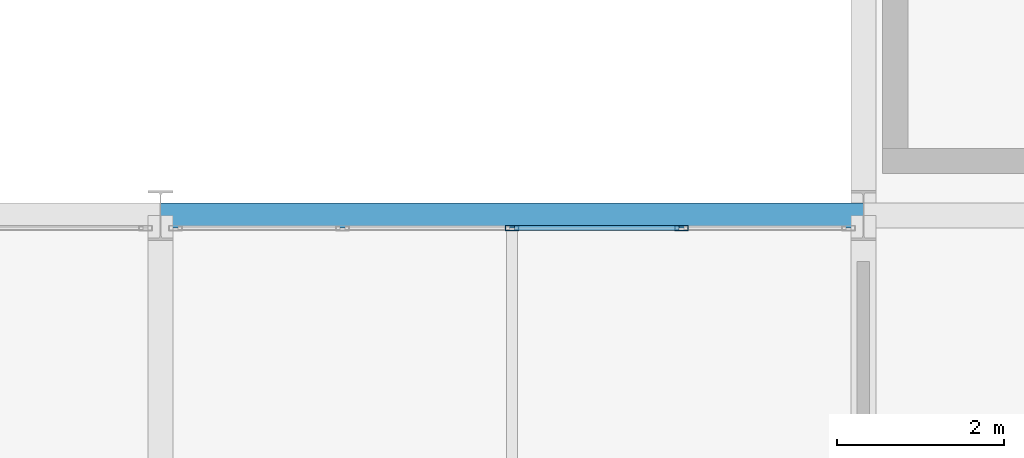
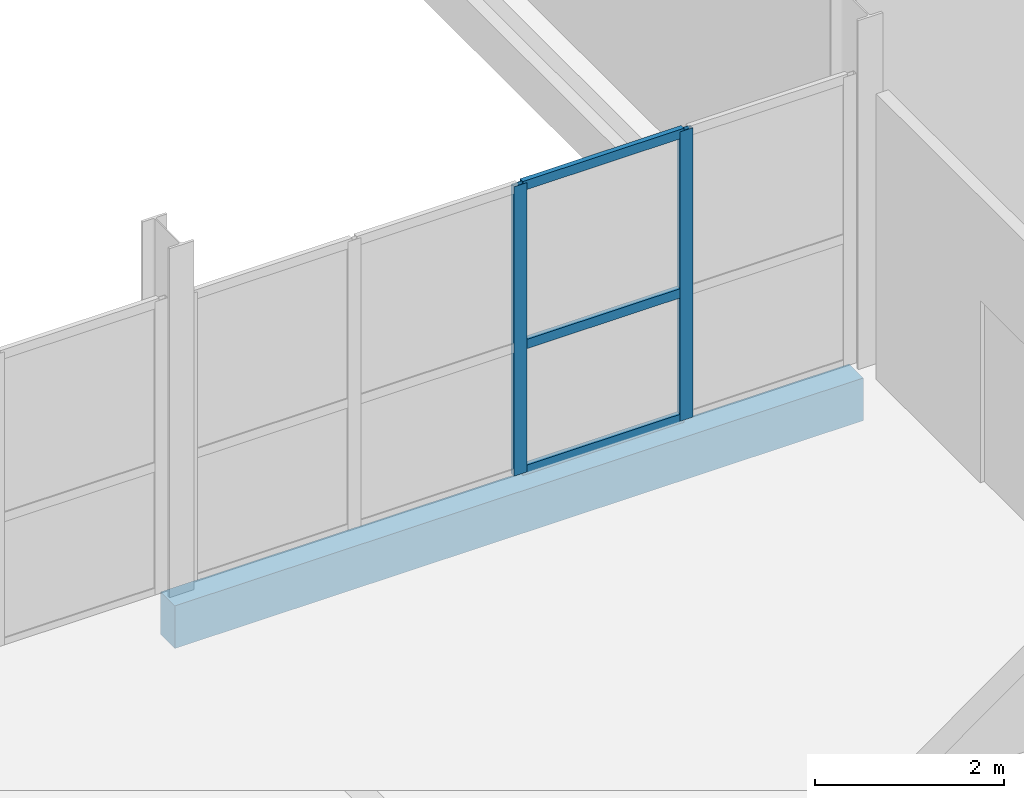
# One storey, part 46 of 109: 5 members, 1 beam, 1 element without a shape of its own.
"""IFC4 building model written with IfcOpenShell, lengths in metres."""

from ifc_helpers import new_model, si_unit, direction, frame, origin, origin_2d, place, context, subcontext, project, spatial, rectangle, hollow_rectangle, extrude, material, material_profile, profile_set, type_object, element, aggregate, save


model = new_model("IFC4")

# Units and contexts
model_context = context("Model", 3, precision=1e-05, world=origin(), true_north=direction((0.0, 1.0)))
body_context = subcontext(model_context, "Body", "Model", "MODEL_VIEW")
ifc_project = project(units=[si_unit("LENGTHUNIT", "METRE"), si_unit("AREAUNIT", "SQUARE_METRE"), si_unit("VOLUMEUNIT", "CUBIC_METRE"), si_unit("PLANEANGLEUNIT", "RADIAN"), si_unit("MASSUNIT", "GRAM", prefix="KILO")], contexts=[model_context])

# Site, building, storey
site_placement = place(None, origin())
site = spatial("IfcSite", under=ifc_project, at=site_placement, CompositionType="ELEMENT")
building_placement = place(site_placement, origin())
building = spatial("IfcBuilding", under=site, at=building_placement, Name="Veltarok Museum of Natural Sciences", CompositionType="ELEMENT")
storey_placement = place(building_placement, frame((0.0, 0.0, 17.39990234375)))
storey = spatial("IfcBuildingStorey", under=building, at=storey_placement, Name="L03", CompositionType="ELEMENT", Elevation=17.39990234375)

# Curtain wall, members
ifc_material_1 = material(Name="Low-iron triple insulated glass", Category="glass")
curtain_wall_type = type_object("IfcCurtainWallType", Name="Curtain Wall System CW-V5CN-L03-3-810x373 (CW-V5CN L03 810x373cm)", PredefinedType="NOTDEFINED", material=ifc_material_1)
curtain_wall_placement = place(storey_placement, origin())
curtain_wall = element("IfcCurtainWall", 1, at=curtain_wall_placement, inside=storey, type_object=curtain_wall_type, Name="Curtain Wall CW-V5CN-L03-3-810x373 CW-0195", PredefinedType="NOTDEFINED")
ifc_material_2 = material(Name="Thermally broken anodised aluminium", Category="aluminium")
ifc_material_profile_1 = material_profile(ifc_material_2, hollow_rectangle(XDim=0.06005859375, YDim=0.1201171875, WallThickness=0.0048828125, at=origin_2d()), Name="CW TRANSOM 60x120x5")
ifc_profile_set_1 = profile_set([ifc_material_profile_1], Name="Thermally broken anodised aluminium")
member_type_1 = type_object("IfcMemberType", Name="Curtain Wall Horizontal Transom 60x120x5", PredefinedType="USERDEFINED", material=ifc_profile_set_1)
member_1_placement = place(storey_placement, frame((130.195068359375, 26.25, 0.028076171875), z_axis=(-1.0, 0.0, 0.0), x_axis=(0.0, -1.0, 0.0)))
member_1 = element("IfcMember", 2, at=member_1_placement, type_object=member_type_1, Name="CW-V5CN-L03-3-810x373 transom 2.1", ObjectType="TRANSOM", PredefinedType="USERDEFINED", context=body_context, shape_type="SweptSolid", body=[
    extrude(hollow_rectangle(XDim=0.06005859375, YDim=0.1201171875, WallThickness=0.0048828125, at=origin_2d()), origin(), (0.0, 0.0, 1.0), 1.965087890625),
])
member_2_placement = place(storey_placement, frame((130.195068359375, 26.25, 1.648193359375), z_axis=(-1.0, 0.0, 0.0), x_axis=(0.0, -1.0, 0.0)))
member_2 = element("IfcMember", 3, at=member_2_placement, type_object=member_type_1, Name="CW-V5CN-L03-3-810x373 transom 2.2", ObjectType="TRANSOM", PredefinedType="USERDEFINED", context=body_context, shape_type="SweptSolid", body=[
    extrude(hollow_rectangle(XDim=0.06005859375, YDim=0.1201171875, WallThickness=0.0048828125, at=origin_2d()), origin(), (0.0, 0.0, 1.0), 1.965087890625),
])
member_3_placement = place(storey_placement, frame((130.195068359375, 26.25, 3.7001953125), z_axis=(-1.0, 0.0, 0.0), x_axis=(0.0, -1.0, 0.0)))
member_3 = element("IfcMember", 4, at=member_3_placement, type_object=member_type_1, Name="CW-V5CN-L03-3-810x373 transom 2.3", ObjectType="TRANSOM", PredefinedType="USERDEFINED", context=body_context, shape_type="SweptSolid", body=[
    extrude(hollow_rectangle(XDim=0.06005859375, YDim=0.1201171875, WallThickness=0.0048828125, at=origin_2d()), origin(), (0.0, 0.0, 1.0), 1.965087890625),
])
ifc_material_profile_2 = material_profile(ifc_material_2, hollow_rectangle(XDim=0.06005859375, YDim=0.159912109375, WallThickness=0.0048828125, at=origin_2d()), Name="CW MULLION 60x160x5")
ifc_profile_set_2 = profile_set([ifc_material_profile_2], Name="Thermally broken anodised aluminium")
member_type_2 = type_object("IfcMemberType", Name="Curtain Wall Vertical Mullion 60x160x5", PredefinedType="MULLION", material=ifc_profile_set_2)
member_4_placement = place(storey_placement, frame((130.22509765625, 26.25, -0.001953125), z_axis=(0.0, 0.0, 1.0), x_axis=(0.0, -1.0, 0.0)))
member_4 = element("IfcMember", 5, at=member_4_placement, type_object=member_type_2, Name="CW-V5CN-L03-3-810x373 mullion 2", PredefinedType="MULLION", context=body_context, shape_type="SweptSolid", body=[
    extrude(hollow_rectangle(XDim=0.06005859375, YDim=0.159912109375, WallThickness=0.0048828125, at=origin_2d()), origin(), (0.0, 0.0, 1.0), 3.73193359375),
])
member_5_placement = place(storey_placement, frame((128.199951171875, 26.25, -0.001953125), z_axis=(0.0, 0.0, 1.0), x_axis=(0.0, -1.0, 0.0)))
member_5 = element("IfcMember", 6, at=member_5_placement, type_object=member_type_2, Name="CW-V5CN-L03-3-810x373 mullion 3", PredefinedType="MULLION", context=body_context, shape_type="SweptSolid", body=[
    extrude(hollow_rectangle(XDim=0.06005859375, YDim=0.159912109375, WallThickness=0.0048828125, at=origin_2d()), origin(), (0.0, 0.0, 1.0), 3.73193359375),
])
aggregate(curtain_wall, [member_4, member_5, member_1, member_2, member_3])

# Beam
ifc_material_3 = material(Name="Precast concrete C40/50", Category="concrete")
ifc_material_profile_3 = material_profile(ifc_material_3, rectangle(XDim=0.300048828125, YDim=0.550048828125, at=origin_2d()), Name="RC 300x550")
ifc_profile_set_3 = profile_set([ifc_material_profile_3], Name="Precast concrete C40/50")
beam_type = type_object("IfcBeamType", Name="East Wing Precast Spandrel RC 300x550", PredefinedType="SPANDREL", material=ifc_profile_set_3)
beam_placement = place(storey_placement, frame((124.0, 26.39990234375, -0.52490234375), z_axis=(1.0, 0.0, 0.0), x_axis=(0.0, 1.0, 0.0)))
element("IfcBeam", 7, at=beam_placement, inside=storey, type_object=beam_type, Name="Beam BM-SP02 L03 15-16/D", PredefinedType="SPANDREL", context=body_context, shape_type="SweptSolid", body=[
    extrude(rectangle(XDim=0.300048828125, YDim=0.550048828125, at=origin_2d()), origin(), (0.0, 0.0, 1.0), 8.39990234375),
])

save(model, "model.ifc")
